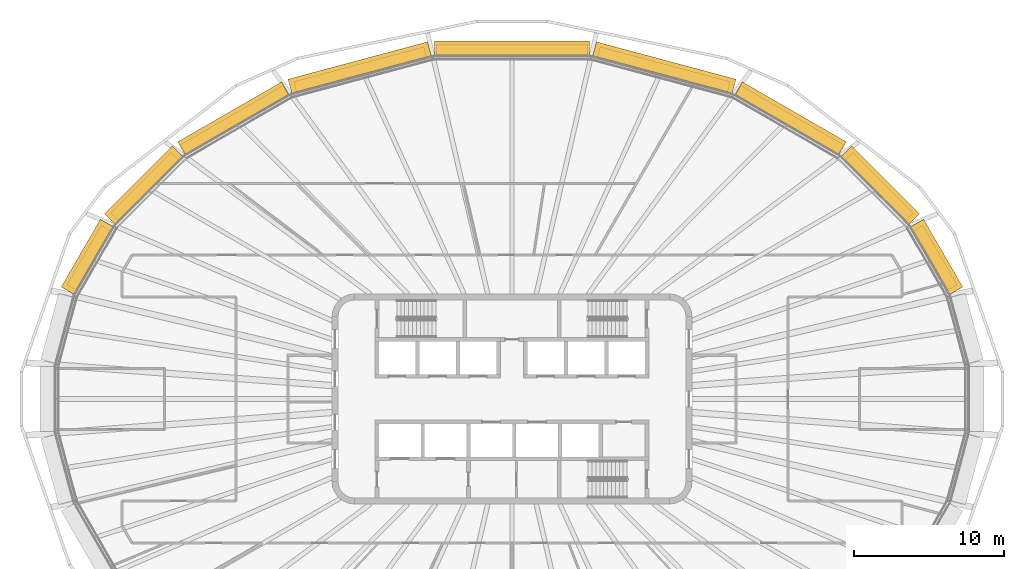
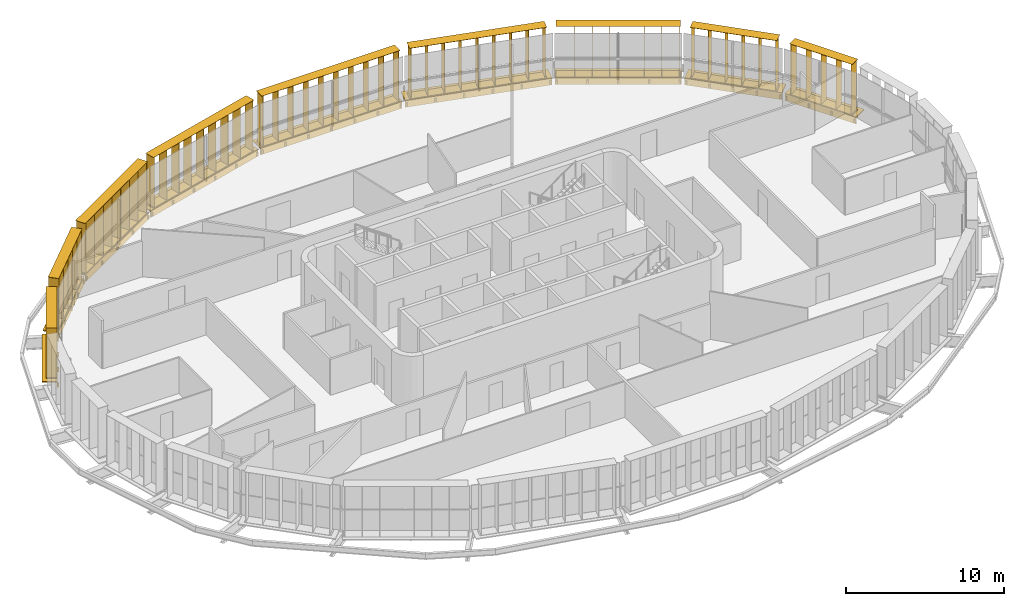
# One storey, part 20 of 20: 18 shading devices.
"""IFC4 building model written with IfcOpenShell, lengths in metres."""

from ifc_helpers import new_model, si_unit, direction, frame, origin, origin_2d, place, context, subcontext, project, spatial, rectangle, extrude, material, type_object, element, save


model = new_model("IFC4")

# Units and contexts
model_context = context("Model", 3, precision=1e-05, world=origin(), true_north=direction((0.0, 1.0)))
body_context = subcontext(model_context, "Body", "Model", "MODEL_VIEW")
ifc_project = project(units=[si_unit("LENGTHUNIT", "METRE"), si_unit("AREAUNIT", "SQUARE_METRE"), si_unit("VOLUMEUNIT", "CUBIC_METRE"), si_unit("PLANEANGLEUNIT", "RADIAN"), si_unit("MASSUNIT", "GRAM", prefix="KILO")], contexts=[model_context])

# Site, building, storey
site_placement = place(None, origin())
site = spatial("IfcSite", under=ifc_project, at=site_placement, CompositionType="ELEMENT")
building_placement = place(site_placement, origin())
building = spatial("IfcBuilding", under=site, at=building_placement, Name="Sahrelin Media Tower", CompositionType="ELEMENT")
storey_placement = place(building_placement, frame((0.0, 0.0, 245.60009765625)))
storey = spatial("IfcBuildingStorey", under=building, at=storey_placement, Name="L53", CompositionType="ELEMENT", Elevation=245.60009765625)

# Shading devices
ifc_material = material(Name="Champagne anodised aluminium 6063-T6", Category="aluminium")
shading_device_type_1 = type_object("IfcShadingDeviceType", Name="Fin cassette", PredefinedType="USERDEFINED", material=ifc_material)
placement_1 = place(storey_placement, frame((27.865234375, 9.214111328125, 0.0), z_axis=(0.0, 0.0, 1.0), x_axis=(0.500011000363, -0.866019052629, 0.0)))
element("IfcShadingDevice", 1, at=placement_1, inside=storey, type_object=shading_device_type_1, Name="L53:FIN:L53-02", ObjectType="FIN", PredefinedType="USERDEFINED", context=body_context, shape_type="SweptSolid", body=[
    extrude(rectangle(XDim=4.60009765625, YDim=0.699951171875, at=origin_2d()), frame((0.0, 0.419921875, 0.0)), (0.0, 0.0, 1.0), 0.02001953125),
    extrude(rectangle(XDim=4.60009765625, YDim=0.699951171875, at=origin_2d()), frame((0.0, 0.419921875, 3.89990234375)), (0.0, 0.0, 1.0), 0.02001953125),
    extrude(rectangle(XDim=0.02001953125, YDim=0.699951171875, at=origin_2d()), frame((-2.199951171875, 0.419921875, 0.010009765625), z_axis=(0.0, 0.0, 1.0), x_axis=(1.0, 0.0, 0.0)), (0.0, 0.0, 1.0), 3.89990234375),
    extrude(rectangle(XDim=0.02001953125, YDim=0.699951171875, at=origin_2d()), frame((-1.10009765625, 0.419921875, 0.010009765625), z_axis=(0.0, 0.0, 1.0), x_axis=(1.0, 0.0, 0.0)), (0.0, 0.0, 1.0), 3.89990234375),
    extrude(rectangle(XDim=0.02001953125, YDim=0.699951171875, at=origin_2d()), frame((0.0, 0.419921875, 0.010009765625), z_axis=(0.0, 0.0, 1.0), x_axis=(1.0, 0.0, 0.0)), (0.0, 0.0, 1.0), 3.89990234375),
    extrude(rectangle(XDim=0.02001953125, YDim=0.699951171875, at=origin_2d()), frame((1.10009765625, 0.419921875, 0.010009765625), z_axis=(0.0, 0.0, 1.0), x_axis=(1.0, 0.0, 0.0)), (0.0, 0.0, 1.0), 3.89990234375),
    extrude(rectangle(XDim=0.02001953125, YDim=0.699951171875, at=origin_2d()), frame((2.199951171875, 0.419921875, 0.010009765625), z_axis=(0.0, 0.0, 1.0), x_axis=(1.0, 0.0, 0.0)), (0.0, 0.0, 1.0), 3.89990234375),
])
placement_2 = place(storey_placement, frame((24.1865234375, 13.88330078125, 0.0), z_axis=(0.0, 0.0, 1.0), x_axis=(0.707106781187, -0.707106781187, 0.0)))
element("IfcShadingDevice", 2, at=placement_2, inside=storey, type_object=shading_device_type_1, Name="L53:FIN:L53-03", ObjectType="FIN", PredefinedType="USERDEFINED", context=body_context, shape_type="SweptSolid", body=[
    extrude(rectangle(XDim=5.699951171875, YDim=0.699951171875, at=origin_2d()), frame((0.0, 0.419921875, 0.0)), (0.0, 0.0, 1.0), 0.02001953125),
    extrude(rectangle(XDim=5.699951171875, YDim=0.699951171875, at=origin_2d()), frame((0.0, 0.419921875, 3.89990234375)), (0.0, 0.0, 1.0), 0.02001953125),
    extrude(rectangle(XDim=0.02001953125, YDim=0.699951171875, at=origin_2d()), frame((-2.75, 0.419921875, 0.010009765625), z_axis=(0.0, 0.0, 1.0), x_axis=(1.0, 0.0, 0.0)), (0.0, 0.0, 1.0), 3.89990234375),
    extrude(rectangle(XDim=0.02001953125, YDim=0.699951171875, at=origin_2d()), frame((-1.64990234375, 0.419921875, 0.010009765625), z_axis=(0.0, 0.0, 1.0), x_axis=(1.0, 0.0, 0.0)), (0.0, 0.0, 1.0), 3.89990234375),
    extrude(rectangle(XDim=0.02001953125, YDim=0.699951171875, at=origin_2d()), frame((-0.550048828125, 0.419921875, 0.010009765625), z_axis=(0.0, 0.0, 1.0), x_axis=(1.0, 0.0, 0.0)), (0.0, 0.0, 1.0), 3.89990234375),
    extrude(rectangle(XDim=0.02001953125, YDim=0.699951171875, at=origin_2d()), frame((0.550048828125, 0.419921875, 0.010009765625), z_axis=(0.0, 0.0, 1.0), x_axis=(1.0, 0.0, 0.0)), (0.0, 0.0, 1.0), 3.89990234375),
    extrude(rectangle(XDim=0.02001953125, YDim=0.699951171875, at=origin_2d()), frame((1.64990234375, 0.419921875, 0.010009765625), z_axis=(0.0, 0.0, 1.0), x_axis=(1.0, 0.0, 0.0)), (0.0, 0.0, 1.0), 3.89990234375),
    extrude(rectangle(XDim=0.02001953125, YDim=0.699951171875, at=origin_2d()), frame((2.75, 0.419921875, 0.010009765625), z_axis=(0.0, 0.0, 1.0), x_axis=(1.0, 0.0, 0.0)), (0.0, 0.0, 1.0), 3.89990234375),
])
placement_3 = place(storey_placement, frame((18.3115234375, 18.25830078125, 0.0), z_axis=(0.0, 0.0, 1.0), x_axis=(0.866019052629, -0.500011000363, 0.0)))
element("IfcShadingDevice", 3, at=placement_3, inside=storey, type_object=shading_device_type_1, Name="L53:FIN:L53-04", ObjectType="FIN", PredefinedType="USERDEFINED", context=body_context, shape_type="SweptSolid", body=[
    extrude(rectangle(XDim=7.89990234375, YDim=0.699951171875, at=origin_2d()), frame((0.0, 0.419921875, 0.0)), (0.0, 0.0, 1.0), 0.02001953125),
    extrude(rectangle(XDim=7.89990234375, YDim=0.699951171875, at=origin_2d()), frame((0.0, 0.419921875, 3.89990234375)), (0.0, 0.0, 1.0), 0.02001953125),
    extrude(rectangle(XDim=0.02001953125, YDim=0.699951171875, at=origin_2d()), frame((-3.85009765625, 0.419921875, 0.010009765625), z_axis=(0.0, 0.0, 1.0), x_axis=(1.0, 0.0, 0.0)), (0.0, 0.0, 1.0), 3.89990234375),
    extrude(rectangle(XDim=0.02001953125, YDim=0.699951171875, at=origin_2d()), frame((-2.75, 0.419921875, 0.010009765625), z_axis=(0.0, 0.0, 1.0), x_axis=(1.0, 0.0, 0.0)), (0.0, 0.0, 1.0), 3.89990234375),
    extrude(rectangle(XDim=0.02001953125, YDim=0.699951171875, at=origin_2d()), frame((-1.64990234375, 0.419921875, 0.010009765625), z_axis=(0.0, 0.0, 1.0), x_axis=(1.0, 0.0, 0.0)), (0.0, 0.0, 1.0), 3.89990234375),
    extrude(rectangle(XDim=0.02001953125, YDim=0.699951171875, at=origin_2d()), frame((-0.550048828125, 0.419921875, 0.010009765625), z_axis=(0.0, 0.0, 1.0), x_axis=(1.0, 0.0, 0.0)), (0.0, 0.0, 1.0), 3.89990234375),
    extrude(rectangle(XDim=0.02001953125, YDim=0.699951171875, at=origin_2d()), frame((0.550048828125, 0.419921875, 0.010009765625), z_axis=(0.0, 0.0, 1.0), x_axis=(1.0, 0.0, 0.0)), (0.0, 0.0, 1.0), 3.89990234375),
    extrude(rectangle(XDim=0.02001953125, YDim=0.699951171875, at=origin_2d()), frame((1.64990234375, 0.419921875, 0.010009765625), z_axis=(0.0, 0.0, 1.0), x_axis=(1.0, 0.0, 0.0)), (0.0, 0.0, 1.0), 3.89990234375),
    extrude(rectangle(XDim=0.02001953125, YDim=0.699951171875, at=origin_2d()), frame((2.75, 0.419921875, 0.010009765625), z_axis=(0.0, 0.0, 1.0), x_axis=(1.0, 0.0, 0.0)), (0.0, 0.0, 1.0), 3.89990234375),
    extrude(rectangle(XDim=0.02001953125, YDim=0.699951171875, at=origin_2d()), frame((3.85009765625, 0.419921875, 0.010009765625), z_axis=(0.0, 0.0, 1.0), x_axis=(1.0, 0.0, 0.0)), (0.0, 0.0, 1.0), 3.89990234375),
])
placement_4 = place(storey_placement, frame((10.017578125, 21.57861328125, 0.0), z_axis=(0.0, 0.0, 1.0), x_axis=(0.965928857556, -0.258807731996, 0.0)))
element("IfcShadingDevice", 4, at=placement_4, inside=storey, type_object=shading_device_type_1, Name="L53:FIN:L53-05", ObjectType="FIN", PredefinedType="USERDEFINED", context=body_context, shape_type="SweptSolid", body=[
    extrude(rectangle(XDim=9.0, YDim=0.699951171875, at=origin_2d()), frame((0.0, 0.419921875, 0.0)), (0.0, 0.0, 1.0), 0.02001953125),
    extrude(rectangle(XDim=9.0, YDim=0.699951171875, at=origin_2d()), frame((0.0, 0.419921875, 3.89990234375)), (0.0, 0.0, 1.0), 0.02001953125),
    extrude(rectangle(XDim=0.02001953125, YDim=0.699951171875, at=origin_2d()), frame((-4.39990234375, 0.419921875, 0.010009765625), z_axis=(0.0, 0.0, 1.0), x_axis=(1.0, 0.0, 0.0)), (0.0, 0.0, 1.0), 3.89990234375),
    extrude(rectangle(XDim=0.02001953125, YDim=0.699951171875, at=origin_2d()), frame((-3.300048828125, 0.419921875, 0.010009765625), z_axis=(0.0, 0.0, 1.0), x_axis=(1.0, 0.0, 0.0)), (0.0, 0.0, 1.0), 3.89990234375),
    extrude(rectangle(XDim=0.02001953125, YDim=0.699951171875, at=origin_2d()), frame((-2.199951171875, 0.419921875, 0.010009765625), z_axis=(0.0, 0.0, 1.0), x_axis=(1.0, 0.0, 0.0)), (0.0, 0.0, 1.0), 3.89990234375),
    extrude(rectangle(XDim=0.02001953125, YDim=0.699951171875, at=origin_2d()), frame((-1.10009765625, 0.419921875, 0.010009765625), z_axis=(0.0, 0.0, 1.0), x_axis=(1.0, 0.0, 0.0)), (0.0, 0.0, 1.0), 3.89990234375),
    extrude(rectangle(XDim=0.02001953125, YDim=0.699951171875, at=origin_2d()), frame((0.0, 0.419921875, 0.010009765625), z_axis=(0.0, 0.0, 1.0), x_axis=(1.0, 0.0, 0.0)), (0.0, 0.0, 1.0), 3.89990234375),
    extrude(rectangle(XDim=0.02001953125, YDim=0.699951171875, at=origin_2d()), frame((1.10009765625, 0.419921875, 0.010009765625), z_axis=(0.0, 0.0, 1.0), x_axis=(1.0, 0.0, 0.0)), (0.0, 0.0, 1.0), 3.89990234375),
    extrude(rectangle(XDim=0.02001953125, YDim=0.699951171875, at=origin_2d()), frame((2.199951171875, 0.419921875, 0.010009765625), z_axis=(0.0, 0.0, 1.0), x_axis=(1.0, 0.0, 0.0)), (0.0, 0.0, 1.0), 3.89990234375),
    extrude(rectangle(XDim=0.02001953125, YDim=0.699951171875, at=origin_2d()), frame((3.300048828125, 0.419921875, 0.010009765625), z_axis=(0.0, 0.0, 1.0), x_axis=(1.0, 0.0, 0.0)), (0.0, 0.0, 1.0), 3.89990234375),
    extrude(rectangle(XDim=0.02001953125, YDim=0.699951171875, at=origin_2d()), frame((4.39990234375, 0.419921875, 0.010009765625), z_axis=(0.0, 0.0, 1.0), x_axis=(1.0, 0.0, 0.0)), (0.0, 0.0, 1.0), 3.89990234375),
])
placement_5 = place(storey_placement, frame((0.0, 22.85009765625, 0.0), z_axis=(0.0, 0.0, 1.0), x_axis=(1.0, 0.0, 0.0)))
element("IfcShadingDevice", 5, at=placement_5, inside=storey, type_object=shading_device_type_1, Name="L53:FIN:L53-06", ObjectType="FIN", PredefinedType="USERDEFINED", context=body_context, shape_type="SweptSolid", body=[
    extrude(rectangle(XDim=10.10009765625, YDim=0.699951171875, at=origin_2d()), frame((0.0, 0.419921875, 0.0)), (0.0, 0.0, 1.0), 0.02001953125),
    extrude(rectangle(XDim=10.10009765625, YDim=0.699951171875, at=origin_2d()), frame((0.0, 0.419921875, 3.89990234375)), (0.0, 0.0, 1.0), 0.02001953125),
    extrude(rectangle(XDim=0.02001953125, YDim=0.699951171875, at=origin_2d()), frame((-4.949951171875, 0.419921875, 0.010009765625), z_axis=(0.0, 0.0, 1.0), x_axis=(1.0, 0.0, 0.0)), (0.0, 0.0, 1.0), 3.89990234375),
    extrude(rectangle(XDim=0.02001953125, YDim=0.699951171875, at=origin_2d()), frame((-3.85009765625, 0.419921875, 0.010009765625), z_axis=(0.0, 0.0, 1.0), x_axis=(1.0, 0.0, 0.0)), (0.0, 0.0, 1.0), 3.89990234375),
    extrude(rectangle(XDim=0.02001953125, YDim=0.699951171875, at=origin_2d()), frame((-2.75, 0.419921875, 0.010009765625), z_axis=(0.0, 0.0, 1.0), x_axis=(1.0, 0.0, 0.0)), (0.0, 0.0, 1.0), 3.89990234375),
    extrude(rectangle(XDim=0.02001953125, YDim=0.699951171875, at=origin_2d()), frame((-1.64990234375, 0.419921875, 0.010009765625), z_axis=(0.0, 0.0, 1.0), x_axis=(1.0, 0.0, 0.0)), (0.0, 0.0, 1.0), 3.89990234375),
    extrude(rectangle(XDim=0.02001953125, YDim=0.699951171875, at=origin_2d()), frame((-0.550048828125, 0.419921875, 0.010009765625), z_axis=(0.0, 0.0, 1.0), x_axis=(1.0, 0.0, 0.0)), (0.0, 0.0, 1.0), 3.89990234375),
    extrude(rectangle(XDim=0.02001953125, YDim=0.699951171875, at=origin_2d()), frame((0.550048828125, 0.419921875, 0.010009765625), z_axis=(0.0, 0.0, 1.0), x_axis=(1.0, 0.0, 0.0)), (0.0, 0.0, 1.0), 3.89990234375),
    extrude(rectangle(XDim=0.02001953125, YDim=0.699951171875, at=origin_2d()), frame((1.64990234375, 0.419921875, 0.010009765625), z_axis=(0.0, 0.0, 1.0), x_axis=(1.0, 0.0, 0.0)), (0.0, 0.0, 1.0), 3.89990234375),
    extrude(rectangle(XDim=0.02001953125, YDim=0.699951171875, at=origin_2d()), frame((2.75, 0.419921875, 0.010009765625), z_axis=(0.0, 0.0, 1.0), x_axis=(1.0, 0.0, 0.0)), (0.0, 0.0, 1.0), 3.89990234375),
    extrude(rectangle(XDim=0.02001953125, YDim=0.699951171875, at=origin_2d()), frame((3.85009765625, 0.419921875, 0.010009765625), z_axis=(0.0, 0.0, 1.0), x_axis=(1.0, 0.0, 0.0)), (0.0, 0.0, 1.0), 3.89990234375),
    extrude(rectangle(XDim=0.02001953125, YDim=0.699951171875, at=origin_2d()), frame((4.949951171875, 0.419921875, 0.010009765625), z_axis=(0.0, 0.0, 1.0), x_axis=(1.0, 0.0, 0.0)), (0.0, 0.0, 1.0), 3.89990234375),
])
placement_6 = place(storey_placement, frame((-10.017578125, 21.578857421875, 0.0), z_axis=(0.0, 0.0, 1.0), x_axis=(0.965928857556, 0.258807731996, 0.0)))
element("IfcShadingDevice", 6, at=placement_6, inside=storey, type_object=shading_device_type_1, Name="L53:FIN:L53-07", ObjectType="FIN", PredefinedType="USERDEFINED", context=body_context, shape_type="SweptSolid", body=[
    extrude(rectangle(XDim=9.0, YDim=0.699951171875, at=origin_2d()), frame((0.0, 0.419921875, 0.0)), (0.0, 0.0, 1.0), 0.02001953125),
    extrude(rectangle(XDim=9.0, YDim=0.699951171875, at=origin_2d()), frame((0.0, 0.419921875, 3.89990234375)), (0.0, 0.0, 1.0), 0.02001953125),
    extrude(rectangle(XDim=0.02001953125, YDim=0.699951171875, at=origin_2d()), frame((-4.39990234375, 0.419921875, 0.010009765625), z_axis=(0.0, 0.0, 1.0), x_axis=(1.0, 0.0, 0.0)), (0.0, 0.0, 1.0), 3.89990234375),
    extrude(rectangle(XDim=0.02001953125, YDim=0.699951171875, at=origin_2d()), frame((-3.300048828125, 0.419921875, 0.010009765625), z_axis=(0.0, 0.0, 1.0), x_axis=(1.0, 0.0, 0.0)), (0.0, 0.0, 1.0), 3.89990234375),
    extrude(rectangle(XDim=0.02001953125, YDim=0.699951171875, at=origin_2d()), frame((-2.199951171875, 0.419921875, 0.010009765625), z_axis=(0.0, 0.0, 1.0), x_axis=(1.0, 0.0, 0.0)), (0.0, 0.0, 1.0), 3.89990234375),
    extrude(rectangle(XDim=0.02001953125, YDim=0.699951171875, at=origin_2d()), frame((-1.10009765625, 0.419921875, 0.010009765625), z_axis=(0.0, 0.0, 1.0), x_axis=(1.0, 0.0, 0.0)), (0.0, 0.0, 1.0), 3.89990234375),
    extrude(rectangle(XDim=0.02001953125, YDim=0.699951171875, at=origin_2d()), frame((0.0, 0.419921875, 0.010009765625), z_axis=(0.0, 0.0, 1.0), x_axis=(1.0, 0.0, 0.0)), (0.0, 0.0, 1.0), 3.89990234375),
    extrude(rectangle(XDim=0.02001953125, YDim=0.699951171875, at=origin_2d()), frame((1.10009765625, 0.419921875, 0.010009765625), z_axis=(0.0, 0.0, 1.0), x_axis=(1.0, 0.0, 0.0)), (0.0, 0.0, 1.0), 3.89990234375),
    extrude(rectangle(XDim=0.02001953125, YDim=0.699951171875, at=origin_2d()), frame((2.199951171875, 0.419921875, 0.010009765625), z_axis=(0.0, 0.0, 1.0), x_axis=(1.0, 0.0, 0.0)), (0.0, 0.0, 1.0), 3.89990234375),
    extrude(rectangle(XDim=0.02001953125, YDim=0.699951171875, at=origin_2d()), frame((3.300048828125, 0.419921875, 0.010009765625), z_axis=(0.0, 0.0, 1.0), x_axis=(1.0, 0.0, 0.0)), (0.0, 0.0, 1.0), 3.89990234375),
    extrude(rectangle(XDim=0.02001953125, YDim=0.699951171875, at=origin_2d()), frame((4.39990234375, 0.419921875, 0.010009765625), z_axis=(0.0, 0.0, 1.0), x_axis=(1.0, 0.0, 0.0)), (0.0, 0.0, 1.0), 3.89990234375),
])
placement_7 = place(storey_placement, frame((-18.3115234375, 18.258056640625, 0.0), z_axis=(0.0, 0.0, 1.0), x_axis=(0.866019052629, 0.500011000363, 0.0)))
element("IfcShadingDevice", 7, at=placement_7, inside=storey, type_object=shading_device_type_1, Name="L53:FIN:L53-08", ObjectType="FIN", PredefinedType="USERDEFINED", context=body_context, shape_type="SweptSolid", body=[
    extrude(rectangle(XDim=7.89990234375, YDim=0.699951171875, at=origin_2d()), frame((0.0, 0.419921875, 0.0)), (0.0, 0.0, 1.0), 0.02001953125),
    extrude(rectangle(XDim=7.89990234375, YDim=0.699951171875, at=origin_2d()), frame((0.0, 0.419921875, 3.89990234375)), (0.0, 0.0, 1.0), 0.02001953125),
    extrude(rectangle(XDim=0.02001953125, YDim=0.699951171875, at=origin_2d()), frame((-3.85009765625, 0.419921875, 0.010009765625), z_axis=(0.0, 0.0, 1.0), x_axis=(1.0, 0.0, 0.0)), (0.0, 0.0, 1.0), 3.89990234375),
    extrude(rectangle(XDim=0.02001953125, YDim=0.699951171875, at=origin_2d()), frame((-2.75, 0.419921875, 0.010009765625), z_axis=(0.0, 0.0, 1.0), x_axis=(1.0, 0.0, 0.0)), (0.0, 0.0, 1.0), 3.89990234375),
    extrude(rectangle(XDim=0.02001953125, YDim=0.699951171875, at=origin_2d()), frame((-1.64990234375, 0.419921875, 0.010009765625), z_axis=(0.0, 0.0, 1.0), x_axis=(1.0, 0.0, 0.0)), (0.0, 0.0, 1.0), 3.89990234375),
    extrude(rectangle(XDim=0.02001953125, YDim=0.699951171875, at=origin_2d()), frame((-0.550048828125, 0.419921875, 0.010009765625), z_axis=(0.0, 0.0, 1.0), x_axis=(1.0, 0.0, 0.0)), (0.0, 0.0, 1.0), 3.89990234375),
    extrude(rectangle(XDim=0.02001953125, YDim=0.699951171875, at=origin_2d()), frame((0.550048828125, 0.419921875, 0.010009765625), z_axis=(0.0, 0.0, 1.0), x_axis=(1.0, 0.0, 0.0)), (0.0, 0.0, 1.0), 3.89990234375),
    extrude(rectangle(XDim=0.02001953125, YDim=0.699951171875, at=origin_2d()), frame((1.64990234375, 0.419921875, 0.010009765625), z_axis=(0.0, 0.0, 1.0), x_axis=(1.0, 0.0, 0.0)), (0.0, 0.0, 1.0), 3.89990234375),
    extrude(rectangle(XDim=0.02001953125, YDim=0.699951171875, at=origin_2d()), frame((2.75, 0.419921875, 0.010009765625), z_axis=(0.0, 0.0, 1.0), x_axis=(1.0, 0.0, 0.0)), (0.0, 0.0, 1.0), 3.89990234375),
    extrude(rectangle(XDim=0.02001953125, YDim=0.699951171875, at=origin_2d()), frame((3.85009765625, 0.419921875, 0.010009765625), z_axis=(0.0, 0.0, 1.0), x_axis=(1.0, 0.0, 0.0)), (0.0, 0.0, 1.0), 3.89990234375),
])
placement_8 = place(storey_placement, frame((-24.1865234375, 13.883544921875, 0.0), z_axis=(0.0, 0.0, 1.0), x_axis=(0.707106781187, 0.707106781187, 0.0)))
element("IfcShadingDevice", 8, at=placement_8, inside=storey, type_object=shading_device_type_1, Name="L53:FIN:L53-09", ObjectType="FIN", PredefinedType="USERDEFINED", context=body_context, shape_type="SweptSolid", body=[
    extrude(rectangle(XDim=5.699951171875, YDim=0.699951171875, at=origin_2d()), frame((0.0, 0.419921875, 0.0)), (0.0, 0.0, 1.0), 0.02001953125),
    extrude(rectangle(XDim=5.699951171875, YDim=0.699951171875, at=origin_2d()), frame((0.0, 0.419921875, 3.89990234375)), (0.0, 0.0, 1.0), 0.02001953125),
    extrude(rectangle(XDim=0.02001953125, YDim=0.699951171875, at=origin_2d()), frame((-2.75, 0.419921875, 0.010009765625), z_axis=(0.0, 0.0, 1.0), x_axis=(1.0, 0.0, 0.0)), (0.0, 0.0, 1.0), 3.89990234375),
    extrude(rectangle(XDim=0.02001953125, YDim=0.699951171875, at=origin_2d()), frame((-1.64990234375, 0.419921875, 0.010009765625), z_axis=(0.0, 0.0, 1.0), x_axis=(1.0, 0.0, 0.0)), (0.0, 0.0, 1.0), 3.89990234375),
    extrude(rectangle(XDim=0.02001953125, YDim=0.699951171875, at=origin_2d()), frame((-0.550048828125, 0.419921875, 0.010009765625), z_axis=(0.0, 0.0, 1.0), x_axis=(1.0, 0.0, 0.0)), (0.0, 0.0, 1.0), 3.89990234375),
    extrude(rectangle(XDim=0.02001953125, YDim=0.699951171875, at=origin_2d()), frame((0.550048828125, 0.419921875, 0.010009765625), z_axis=(0.0, 0.0, 1.0), x_axis=(1.0, 0.0, 0.0)), (0.0, 0.0, 1.0), 3.89990234375),
    extrude(rectangle(XDim=0.02001953125, YDim=0.699951171875, at=origin_2d()), frame((1.64990234375, 0.419921875, 0.010009765625), z_axis=(0.0, 0.0, 1.0), x_axis=(1.0, 0.0, 0.0)), (0.0, 0.0, 1.0), 3.89990234375),
    extrude(rectangle(XDim=0.02001953125, YDim=0.699951171875, at=origin_2d()), frame((2.75, 0.419921875, 0.010009765625), z_axis=(0.0, 0.0, 1.0), x_axis=(1.0, 0.0, 0.0)), (0.0, 0.0, 1.0), 3.89990234375),
])
placement_9 = place(storey_placement, frame((-27.865234375, 9.214111328125, 0.0), z_axis=(0.0, 0.0, 1.0), x_axis=(0.500011000363, 0.866019052629, 0.0)))
element("IfcShadingDevice", 9, at=placement_9, inside=storey, type_object=shading_device_type_1, Name="L53:FIN:L53-10", ObjectType="FIN", PredefinedType="USERDEFINED", context=body_context, shape_type="SweptSolid", body=[
    extrude(rectangle(XDim=4.60009765625, YDim=0.699951171875, at=origin_2d()), frame((0.0, 0.419921875, 0.0)), (0.0, 0.0, 1.0), 0.02001953125),
    extrude(rectangle(XDim=4.60009765625, YDim=0.699951171875, at=origin_2d()), frame((0.0, 0.419921875, 3.89990234375)), (0.0, 0.0, 1.0), 0.02001953125),
    extrude(rectangle(XDim=0.02001953125, YDim=0.699951171875, at=origin_2d()), frame((-2.199951171875, 0.419921875, 0.010009765625), z_axis=(0.0, 0.0, 1.0), x_axis=(1.0, 0.0, 0.0)), (0.0, 0.0, 1.0), 3.89990234375),
    extrude(rectangle(XDim=0.02001953125, YDim=0.699951171875, at=origin_2d()), frame((-1.10009765625, 0.419921875, 0.010009765625), z_axis=(0.0, 0.0, 1.0), x_axis=(1.0, 0.0, 0.0)), (0.0, 0.0, 1.0), 3.89990234375),
    extrude(rectangle(XDim=0.02001953125, YDim=0.699951171875, at=origin_2d()), frame((0.0, 0.419921875, 0.010009765625), z_axis=(0.0, 0.0, 1.0), x_axis=(1.0, 0.0, 0.0)), (0.0, 0.0, 1.0), 3.89990234375),
    extrude(rectangle(XDim=0.02001953125, YDim=0.699951171875, at=origin_2d()), frame((1.10009765625, 0.419921875, 0.010009765625), z_axis=(0.0, 0.0, 1.0), x_axis=(1.0, 0.0, 0.0)), (0.0, 0.0, 1.0), 3.89990234375),
    extrude(rectangle(XDim=0.02001953125, YDim=0.699951171875, at=origin_2d()), frame((2.199951171875, 0.419921875, 0.010009765625), z_axis=(0.0, 0.0, 1.0), x_axis=(1.0, 0.0, 0.0)), (0.0, 0.0, 1.0), 3.89990234375),
])
shading_device_type_2 = type_object("IfcShadingDeviceType", Name="Sunshade band", PredefinedType="USERDEFINED", material=ifc_material)
element("IfcShadingDevice", 10, at=placement_1, inside=storey, type_object=shading_device_type_2, Name="L53:SUN:L53-02", ObjectType="SUNSHADE", PredefinedType="USERDEFINED", context=body_context, shape_type="SweptSolid", body=[
    extrude(rectangle(XDim=5.21337890625, YDim=0.050048828125, at=origin_2d()), frame((0.0, 0.044921875, -0.55126953125)), (0.0, 0.0, 1.0), 0.471435546875),
    extrude(rectangle(XDim=5.21337890625, YDim=1.0, at=origin_2d()), frame((0.0, 0.52001953125, -0.080078125)), (0.0, 0.0, 1.0), 0.080078125),
    extrude(rectangle(XDim=0.10009765625, YDim=0.074951171875, at=origin_2d()), frame((-2.5068359375, -0.017578125, -0.47021484375)), (0.0, 0.0, 1.0), 0.300048828125),
    extrude(rectangle(XDim=0.10009765625, YDim=0.074951171875, at=origin_2d()), frame((-0.835693359375, -0.017578125, -0.47021484375)), (0.0, 0.0, 1.0), 0.300048828125),
    extrude(rectangle(XDim=0.10009765625, YDim=0.074951171875, at=origin_2d()), frame((0.835693359375, -0.017578125, -0.47021484375)), (0.0, 0.0, 1.0), 0.300048828125),
    extrude(rectangle(XDim=0.10009765625, YDim=0.074951171875, at=origin_2d()), frame((2.5068359375, -0.017578125, -0.47021484375)), (0.0, 0.0, 1.0), 0.300048828125),
])
element("IfcShadingDevice", 11, at=placement_2, inside=storey, type_object=shading_device_type_2, Name="L53:SUN:L53-03", ObjectType="SUNSHADE", PredefinedType="USERDEFINED", context=body_context, shape_type="SweptSolid", body=[
    extrude(rectangle(XDim=6.377197265625, YDim=0.050048828125, at=origin_2d()), frame((0.0, 0.044921875, -0.55126953125)), (0.0, 0.0, 1.0), 0.471435546875),
    extrude(rectangle(XDim=6.377197265625, YDim=1.0, at=origin_2d()), frame((0.0, 0.52001953125, -0.080078125)), (0.0, 0.0, 1.0), 0.080078125),
    extrude(rectangle(XDim=0.10009765625, YDim=0.074951171875, at=origin_2d()), frame((-3.08837890625, -0.017578125, -0.47021484375)), (0.0, 0.0, 1.0), 0.300048828125),
    extrude(rectangle(XDim=0.10009765625, YDim=0.074951171875, at=origin_2d()), frame((-1.544189453125, -0.017578125, -0.47021484375)), (0.0, 0.0, 1.0), 0.300048828125),
    extrude(rectangle(XDim=0.10009765625, YDim=0.074951171875, at=origin_2d()), frame((0.0, -0.017578125, -0.47021484375)), (0.0, 0.0, 1.0), 0.300048828125),
    extrude(rectangle(XDim=0.10009765625, YDim=0.074951171875, at=origin_2d()), frame((1.544189453125, -0.017578125, -0.47021484375)), (0.0, 0.0, 1.0), 0.300048828125),
    extrude(rectangle(XDim=0.10009765625, YDim=0.074951171875, at=origin_2d()), frame((3.08837890625, -0.017578125, -0.47021484375)), (0.0, 0.0, 1.0), 0.300048828125),
])
element("IfcShadingDevice", 12, at=placement_3, inside=storey, type_object=shading_device_type_2, Name="L53:SUN:L53-04", ObjectType="SUNSHADE", PredefinedType="USERDEFINED", context=body_context, shape_type="SweptSolid", body=[
    extrude(rectangle(XDim=7.997314453125, YDim=0.050048828125, at=origin_2d()), frame((0.0, 0.044921875, -0.55126953125)), (0.0, 0.0, 1.0), 0.471435546875),
    extrude(rectangle(XDim=7.997314453125, YDim=1.0, at=origin_2d()), frame((0.0, 0.52001953125, -0.080078125)), (0.0, 0.0, 1.0), 0.080078125),
    extrude(rectangle(XDim=0.10009765625, YDim=0.074951171875, at=origin_2d()), frame((-3.898681640625, -0.017578125, -0.47021484375)), (0.0, 0.0, 1.0), 0.300048828125),
    extrude(rectangle(XDim=0.10009765625, YDim=0.074951171875, at=origin_2d()), frame((-1.949462890625, -0.017578125, -0.47021484375)), (0.0, 0.0, 1.0), 0.300048828125),
    extrude(rectangle(XDim=0.10009765625, YDim=0.074951171875, at=origin_2d()), frame((0.0, -0.017578125, -0.47021484375)), (0.0, 0.0, 1.0), 0.300048828125),
    extrude(rectangle(XDim=0.10009765625, YDim=0.074951171875, at=origin_2d()), frame((1.949462890625, -0.017578125, -0.47021484375)), (0.0, 0.0, 1.0), 0.300048828125),
    extrude(rectangle(XDim=0.10009765625, YDim=0.074951171875, at=origin_2d()), frame((3.898681640625, -0.017578125, -0.47021484375)), (0.0, 0.0, 1.0), 0.300048828125),
])
element("IfcShadingDevice", 13, at=placement_4, inside=storey, type_object=shading_device_type_2, Name="L53:SUN:L53-05", ObjectType="SUNSHADE", PredefinedType="USERDEFINED", context=body_context, shape_type="SweptSolid", body=[
    extrude(rectangle(XDim=9.623291015625, YDim=0.050048828125, at=origin_2d()), frame((0.0, 0.044921875, -0.55126953125)), (0.0, 0.0, 1.0), 0.471435546875),
    extrude(rectangle(XDim=9.623291015625, YDim=1.0, at=origin_2d()), frame((0.0, 0.52001953125, -0.080078125)), (0.0, 0.0, 1.0), 0.080078125),
    extrude(rectangle(XDim=0.10009765625, YDim=0.074951171875, at=origin_2d()), frame((-4.711669921875, -0.017578125, -0.47021484375)), (0.0, 0.0, 1.0), 0.300048828125),
    extrude(rectangle(XDim=0.10009765625, YDim=0.074951171875, at=origin_2d()), frame((-2.826904296875, -0.017578125, -0.47021484375)), (0.0, 0.0, 1.0), 0.300048828125),
    extrude(rectangle(XDim=0.10009765625, YDim=0.074951171875, at=origin_2d()), frame((-0.9423828125, -0.017578125, -0.47021484375)), (0.0, 0.0, 1.0), 0.300048828125),
    extrude(rectangle(XDim=0.10009765625, YDim=0.074951171875, at=origin_2d()), frame((0.9423828125, -0.017578125, -0.47021484375)), (0.0, 0.0, 1.0), 0.300048828125),
    extrude(rectangle(XDim=0.10009765625, YDim=0.074951171875, at=origin_2d()), frame((2.826904296875, -0.017578125, -0.47021484375)), (0.0, 0.0, 1.0), 0.300048828125),
    extrude(rectangle(XDim=0.10009765625, YDim=0.074951171875, at=origin_2d()), frame((4.711669921875, -0.017578125, -0.47021484375)), (0.0, 0.0, 1.0), 0.300048828125),
])
element("IfcShadingDevice", 14, at=placement_5, inside=storey, type_object=shading_device_type_2, Name="L53:SUN:L53-06", ObjectType="SUNSHADE", PredefinedType="USERDEFINED", context=body_context, shape_type="SweptSolid", body=[
    extrude(rectangle(XDim=10.3466796875, YDim=0.050048828125, at=origin_2d()), frame((0.0, 0.044921875, -0.55126953125)), (0.0, 0.0, 1.0), 0.471435546875),
    extrude(rectangle(XDim=10.3466796875, YDim=1.0, at=origin_2d()), frame((0.0, 0.52001953125, -0.080078125)), (0.0, 0.0, 1.0), 0.080078125),
    extrude(rectangle(XDim=0.10009765625, YDim=0.074951171875, at=origin_2d()), frame((-5.0732421875, -0.017578125, -0.47021484375)), (0.0, 0.0, 1.0), 0.300048828125),
    extrude(rectangle(XDim=0.10009765625, YDim=0.074951171875, at=origin_2d()), frame((-3.382080078125, -0.017578125, -0.47021484375)), (0.0, 0.0, 1.0), 0.300048828125),
    extrude(rectangle(XDim=0.10009765625, YDim=0.074951171875, at=origin_2d()), frame((-1.691162109375, -0.017578125, -0.47021484375)), (0.0, 0.0, 1.0), 0.300048828125),
    extrude(rectangle(XDim=0.10009765625, YDim=0.074951171875, at=origin_2d()), frame((0.0, -0.017578125, -0.47021484375)), (0.0, 0.0, 1.0), 0.300048828125),
    extrude(rectangle(XDim=0.10009765625, YDim=0.074951171875, at=origin_2d()), frame((1.691162109375, -0.017578125, -0.47021484375)), (0.0, 0.0, 1.0), 0.300048828125),
    extrude(rectangle(XDim=0.10009765625, YDim=0.074951171875, at=origin_2d()), frame((3.382080078125, -0.017578125, -0.47021484375)), (0.0, 0.0, 1.0), 0.300048828125),
    extrude(rectangle(XDim=0.10009765625, YDim=0.074951171875, at=origin_2d()), frame((5.0732421875, -0.017578125, -0.47021484375)), (0.0, 0.0, 1.0), 0.300048828125),
])
element("IfcShadingDevice", 15, at=placement_6, inside=storey, type_object=shading_device_type_2, Name="L53:SUN:L53-07", ObjectType="SUNSHADE", PredefinedType="USERDEFINED", context=body_context, shape_type="SweptSolid", body=[
    extrude(rectangle(XDim=9.623291015625, YDim=0.050048828125, at=origin_2d()), frame((0.0, 0.044921875, -0.55126953125)), (0.0, 0.0, 1.0), 0.471435546875),
    extrude(rectangle(XDim=9.623291015625, YDim=1.0, at=origin_2d()), frame((0.0, 0.52001953125, -0.080078125)), (0.0, 0.0, 1.0), 0.080078125),
    extrude(rectangle(XDim=0.10009765625, YDim=0.074951171875, at=origin_2d()), frame((-4.711669921875, -0.017578125, -0.47021484375)), (0.0, 0.0, 1.0), 0.300048828125),
    extrude(rectangle(XDim=0.10009765625, YDim=0.074951171875, at=origin_2d()), frame((-2.826904296875, -0.017578125, -0.47021484375)), (0.0, 0.0, 1.0), 0.300048828125),
    extrude(rectangle(XDim=0.10009765625, YDim=0.074951171875, at=origin_2d()), frame((-0.9423828125, -0.017578125, -0.47021484375)), (0.0, 0.0, 1.0), 0.300048828125),
    extrude(rectangle(XDim=0.10009765625, YDim=0.074951171875, at=origin_2d()), frame((0.9423828125, -0.017578125, -0.47021484375)), (0.0, 0.0, 1.0), 0.300048828125),
    extrude(rectangle(XDim=0.10009765625, YDim=0.074951171875, at=origin_2d()), frame((2.826904296875, -0.017578125, -0.47021484375)), (0.0, 0.0, 1.0), 0.300048828125),
    extrude(rectangle(XDim=0.10009765625, YDim=0.074951171875, at=origin_2d()), frame((4.711669921875, -0.017578125, -0.47021484375)), (0.0, 0.0, 1.0), 0.300048828125),
])
element("IfcShadingDevice", 16, at=placement_7, inside=storey, type_object=shading_device_type_2, Name="L53:SUN:L53-08", ObjectType="SUNSHADE", PredefinedType="USERDEFINED", context=body_context, shape_type="SweptSolid", body=[
    extrude(rectangle(XDim=7.997314453125, YDim=0.050048828125, at=origin_2d()), frame((0.0, 0.044921875, -0.55126953125)), (0.0, 0.0, 1.0), 0.471435546875),
    extrude(rectangle(XDim=7.997314453125, YDim=1.0, at=origin_2d()), frame((0.0, 0.52001953125, -0.080078125)), (0.0, 0.0, 1.0), 0.080078125),
    extrude(rectangle(XDim=0.10009765625, YDim=0.074951171875, at=origin_2d()), frame((-3.898681640625, -0.017578125, -0.47021484375)), (0.0, 0.0, 1.0), 0.300048828125),
    extrude(rectangle(XDim=0.10009765625, YDim=0.074951171875, at=origin_2d()), frame((-1.949462890625, -0.017578125, -0.47021484375)), (0.0, 0.0, 1.0), 0.300048828125),
    extrude(rectangle(XDim=0.10009765625, YDim=0.074951171875, at=origin_2d()), frame((0.0, -0.017578125, -0.47021484375)), (0.0, 0.0, 1.0), 0.300048828125),
    extrude(rectangle(XDim=0.10009765625, YDim=0.074951171875, at=origin_2d()), frame((1.949462890625, -0.017578125, -0.47021484375)), (0.0, 0.0, 1.0), 0.300048828125),
    extrude(rectangle(XDim=0.10009765625, YDim=0.074951171875, at=origin_2d()), frame((3.898681640625, -0.017578125, -0.47021484375)), (0.0, 0.0, 1.0), 0.300048828125),
])
element("IfcShadingDevice", 17, at=placement_8, inside=storey, type_object=shading_device_type_2, Name="L53:SUN:L53-09", ObjectType="SUNSHADE", PredefinedType="USERDEFINED", context=body_context, shape_type="SweptSolid", body=[
    extrude(rectangle(XDim=6.377197265625, YDim=0.050048828125, at=origin_2d()), frame((0.0, 0.044921875, -0.55126953125)), (0.0, 0.0, 1.0), 0.471435546875),
    extrude(rectangle(XDim=6.377197265625, YDim=1.0, at=origin_2d()), frame((0.0, 0.52001953125, -0.080078125)), (0.0, 0.0, 1.0), 0.080078125),
    extrude(rectangle(XDim=0.10009765625, YDim=0.074951171875, at=origin_2d()), frame((-3.08837890625, -0.017578125, -0.47021484375)), (0.0, 0.0, 1.0), 0.300048828125),
    extrude(rectangle(XDim=0.10009765625, YDim=0.074951171875, at=origin_2d()), frame((-1.544189453125, -0.017578125, -0.47021484375)), (0.0, 0.0, 1.0), 0.300048828125),
    extrude(rectangle(XDim=0.10009765625, YDim=0.074951171875, at=origin_2d()), frame((0.0, -0.017578125, -0.47021484375)), (0.0, 0.0, 1.0), 0.300048828125),
    extrude(rectangle(XDim=0.10009765625, YDim=0.074951171875, at=origin_2d()), frame((1.544189453125, -0.017578125, -0.47021484375)), (0.0, 0.0, 1.0), 0.300048828125),
    extrude(rectangle(XDim=0.10009765625, YDim=0.074951171875, at=origin_2d()), frame((3.08837890625, -0.017578125, -0.47021484375)), (0.0, 0.0, 1.0), 0.300048828125),
])
element("IfcShadingDevice", 18, at=placement_9, inside=storey, type_object=shading_device_type_2, Name="L53:SUN:L53-10", ObjectType="SUNSHADE", PredefinedType="USERDEFINED", context=body_context, shape_type="SweptSolid", body=[
    extrude(rectangle(XDim=5.21337890625, YDim=0.050048828125, at=origin_2d()), frame((0.0, 0.044921875, -0.55126953125)), (0.0, 0.0, 1.0), 0.471435546875),
    extrude(rectangle(XDim=5.21337890625, YDim=1.0, at=origin_2d()), frame((0.0, 0.52001953125, -0.080078125)), (0.0, 0.0, 1.0), 0.080078125),
    extrude(rectangle(XDim=0.10009765625, YDim=0.074951171875, at=origin_2d()), frame((-2.5068359375, -0.017578125, -0.47021484375)), (0.0, 0.0, 1.0), 0.300048828125),
    extrude(rectangle(XDim=0.10009765625, YDim=0.074951171875, at=origin_2d()), frame((-0.835693359375, -0.017578125, -0.47021484375)), (0.0, 0.0, 1.0), 0.300048828125),
    extrude(rectangle(XDim=0.10009765625, YDim=0.074951171875, at=origin_2d()), frame((0.835693359375, -0.017578125, -0.47021484375)), (0.0, 0.0, 1.0), 0.300048828125),
    extrude(rectangle(XDim=0.10009765625, YDim=0.074951171875, at=origin_2d()), frame((2.5068359375, -0.017578125, -0.47021484375)), (0.0, 0.0, 1.0), 0.300048828125),
])

save(model, "model.ifc")
